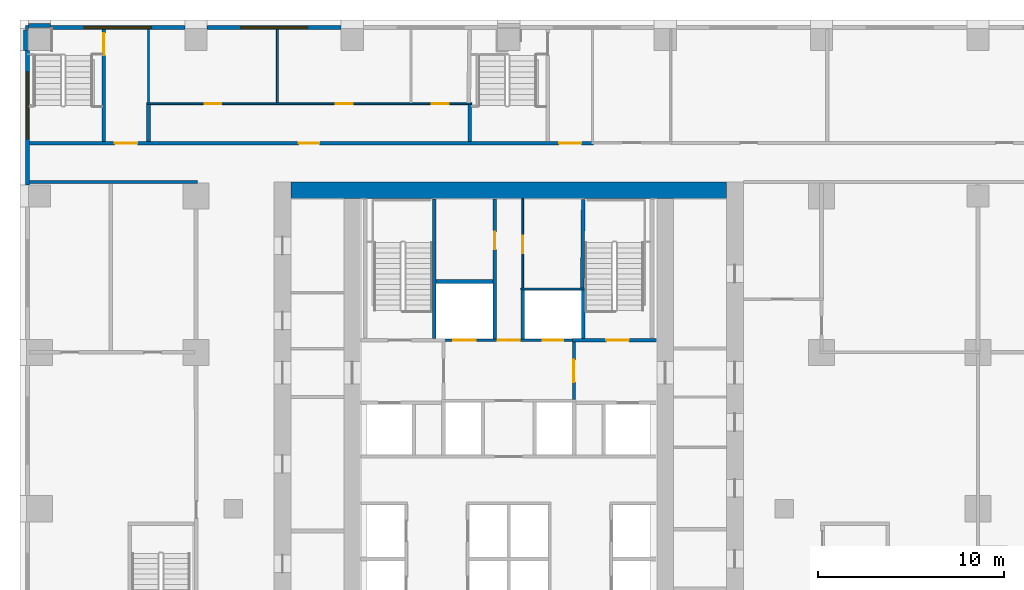
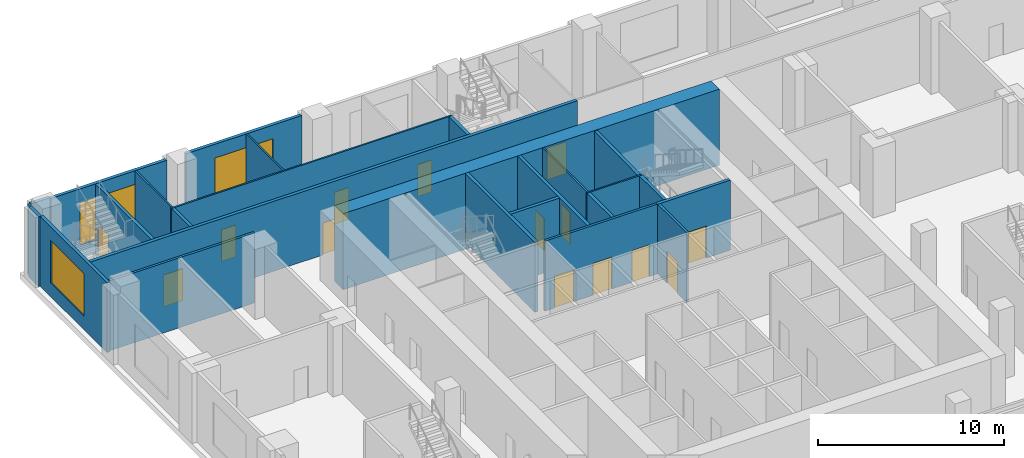
# One storey, part 7 of 21: 26 walls, 14 doors, 3 windows, 17 openings.
"""IFC4 building model written with IfcOpenShell, lengths in metres."""

from ifc_helpers import new_model, si_unit, direction, frame, frame_2d, origin, place, context, subcontext, project, spatial, rectangle, extrude, material, layer, layer_set, type_object, element, fill, save


model = new_model("IFC4")

# Units and contexts
model_context = context("Model", 3, precision=1e-05, world=origin(), true_north=direction((0.0, 1.0)))
body_context = subcontext(model_context, "Body", "Model", "MODEL_VIEW")
ifc_project = project(units=[si_unit("LENGTHUNIT", "METRE"), si_unit("AREAUNIT", "SQUARE_METRE"), si_unit("VOLUMEUNIT", "CUBIC_METRE"), si_unit("PLANEANGLEUNIT", "RADIAN"), si_unit("MASSUNIT", "GRAM", prefix="KILO")], contexts=[model_context])

# Site, building, storey
site_placement = place(None, origin())
site = spatial("IfcSite", under=ifc_project, at=site_placement, CompositionType="ELEMENT")
building_placement = place(site_placement, origin())
building = spatial("IfcBuilding", under=site, at=building_placement, Name="Vermilion Ogive Tower", CompositionType="ELEMENT")
storey_placement = place(building_placement, frame((0.0, 0.0, 25.0)))
storey = spatial("IfcBuildingStorey", under=building, at=storey_placement, Name="L04", CompositionType="ELEMENT", Elevation=25.0)

# Wall, openings, doors
ifc_material_1 = material(Name="Gypsum board partition on steel studs", Category="steel")
ifc_layer_1 = layer(ifc_material_1, 0.10009765625)
ifc_layer_set_1 = layer_set([ifc_layer_1], Name="Partition 100 bath")
wall_type_1 = type_object("IfcWallType", Name="Partition 100 bath", PredefinedType="PARTITIONING", material=ifc_layer_set_1)
wall_1_placement = place(storey_placement, frame((-19.449951171875, 25.949951171875, 0.0), z_axis=(0.0, 0.0, 1.0), x_axis=(1.0, 0.0, 0.0)))
wall_1 = element("IfcWall", 1, at=wall_1_placement, inside=storey, type_object=wall_type_1, Name="L04-FS-W-W030", PredefinedType="PARTITIONING", context=body_context, shape_type="SweptSolid", body=[
    extrude(rectangle(XDim=17.449951171875, YDim=0.10009765625, at=frame_2d((8.72509765625, 0.0))), origin(), (0.0, 0.0, 1.0), 4.60009765625),
])
opening_1_placement = place(wall_1_placement, frame((3.112548828125, 0.0, 0.0)))
opening_1 = element("IfcOpeningElement", 2, at=opening_1_placement, cuts=wall_1, Name="Opening L04S018", PredefinedType="OPENING", context=body_context, shape_type="SweptSolid", body=[
    extrude(rectangle(XDim=0.89990234375, YDim=2.10009765625, at=frame_2d((0.449951171875, 1.050048828125))), frame((0.0, 0.06005859375, 0.0), z_axis=(0.0, -1.0, 0.0), x_axis=(1.0, 0.0, 0.0)), (0.0, 0.0, 1.0), 0.1201171875),
])
opening_2_placement = place(wall_1_placement, frame((10.162353515625, 0.0, 0.0)))
opening_2 = element("IfcOpeningElement", 3, at=opening_2_placement, cuts=wall_1, Name="Opening L04S019", PredefinedType="OPENING", context=body_context, shape_type="SweptSolid", body=[
    extrude(rectangle(XDim=0.89990234375, YDim=2.10009765625, at=frame_2d((0.449951171875, 1.050048828125))), frame((0.0, 0.06005859375, 0.0), z_axis=(0.0, -1.0, 0.0), x_axis=(1.0, 0.0, 0.0)), (0.0, 0.0, 1.0), 0.1201171875),
])
opening_3_placement = place(wall_1_placement, frame((15.324951171875, 0.0, 0.0)))
opening_3 = element("IfcOpeningElement", 4, at=opening_3_placement, cuts=wall_1, Name="Opening L04S020", PredefinedType="OPENING", context=body_context, shape_type="SweptSolid", body=[
    extrude(rectangle(XDim=0.89990234375, YDim=2.10009765625, at=frame_2d((0.449951171875, 1.050048828125))), frame((0.0, 0.06005859375, 0.0), z_axis=(0.0, -1.0, 0.0), x_axis=(1.0, 0.0, 0.0)), (0.0, 0.0, 1.0), 0.1201171875),
])
ifc_material_2 = material(Name="Timber door leaf", Category="wood")
door_type_1 = type_object("IfcDoorType", Name="Room door 900 x 2100 FD30", OperationType="SINGLE_SWING_LEFT", PredefinedType="DOOR", material=ifc_material_2)
door_1_placement = place(opening_1_placement, origin())
door_1 = element("IfcDoor", 5, at=door_1_placement, inside=storey, type_object=door_type_1, Name="L04-FS-D-D018", OperationType="SINGLE_SWING_LEFT", OverallHeight=2.10009765625, OverallWidth=0.89990234375, PredefinedType="DOOR", context=body_context, shape_type="SweptSolid", body=[
    extrude(rectangle(XDim=0.89990234375, YDim=2.10009765625, at=frame_2d((0.449951171875, 1.050048828125))), frame((0.0, 0.02490234375, 0.0), z_axis=(0.0, -1.0, 0.0), x_axis=(1.0, 0.0, 0.0)), (0.0, 0.0, 1.0), 0.050048828125),
])
fill(opening_1, door_1)
door_2_placement = place(opening_2_placement, origin())
door_2 = element("IfcDoor", 6, at=door_2_placement, inside=storey, type_object=door_type_1, Name="L04-FS-D-D019", OperationType="SINGLE_SWING_LEFT", OverallHeight=2.10009765625, OverallWidth=0.89990234375, PredefinedType="DOOR", context=body_context, shape_type="SweptSolid", body=[
    extrude(rectangle(XDim=0.89990234375, YDim=2.10009765625, at=frame_2d((0.449951171875, 1.050048828125))), frame((0.0, 0.02490234375, 0.0), z_axis=(0.0, -1.0, 0.0), x_axis=(1.0, 0.0, 0.0)), (0.0, 0.0, 1.0), 0.050048828125),
])
fill(opening_2, door_2)
door_3_placement = place(opening_3_placement, origin())
door_3 = element("IfcDoor", 7, at=door_3_placement, inside=storey, type_object=door_type_1, Name="L04-FS-D-D020", OperationType="SINGLE_SWING_LEFT", OverallHeight=2.10009765625, OverallWidth=0.89990234375, PredefinedType="DOOR", context=body_context, shape_type="SweptSolid", body=[
    extrude(rectangle(XDim=0.89990234375, YDim=2.10009765625, at=frame_2d((0.449951171875, 1.050048828125))), frame((0.0, 0.02490234375, 0.0), z_axis=(0.0, -1.0, 0.0), x_axis=(1.0, 0.0, 0.0)), (0.0, 0.0, 1.0), 0.050048828125),
])
fill(opening_3, door_3)

# Walls
for number, where, z_axis, x_axis, name in (
    (8, (-19.35009765625, 26.0, 0.0), (0.0, 0.0, 1.0), (0.0, 1.0, 0.0), "L04-FS-W-W034"),
    (9, (-12.425048828125, 26.0, 0.0), (0.0, 0.0, 1.0), (0.0, 1.0, 0.0), "L04-FS-W-W038"),
):
    element("IfcWall", number, at=place(storey_placement, frame(where, z_axis=z_axis, x_axis=x_axis)), inside=storey, type_object=wall_type_1, Name=name, PredefinedType="PARTITIONING", context=body_context, shape_type="SweptSolid", body=[
        extrude(rectangle(XDim=3.949951171875, YDim=0.10009765625, at=frame_2d((1.97509765625, 0.0))), origin(), (0.0, 0.0, 1.0), 4.60009765625),
    ])
wall_2_placement = place(storey_placement, frame((0.64990234375, 16.0, 0.0), z_axis=(0.0, 0.0, 1.0), x_axis=(1.0, 0.0, 0.0)))
element("IfcWall", 10, at=wall_2_placement, inside=storey, type_object=wall_type_1, Name="L04-CK-W-W020", PredefinedType="PARTITIONING", context=body_context, shape_type="SweptSolid", body=[
    extrude(rectangle(XDim=3.4501953125, YDim=0.10009765625, at=frame_2d((1.72509765625, 0.0))), origin(), (0.0, 0.0, 1.0), 4.60009765625),
])

# Wall, opening, door
wall_3_placement = place(storey_placement, frame((0.75, 16.050048828125, 0.0), z_axis=(0.0, 0.0, 1.0), x_axis=(0.0, 1.0, 0.0)))
wall_3 = element("IfcWall", 11, at=wall_3_placement, inside=storey, type_object=wall_type_1, Name="L04-CK-W-W032", PredefinedType="PARTITIONING", context=body_context, shape_type="SweptSolid", body=[
    extrude(rectangle(XDim=4.799072265625, YDim=0.10009765625, at=frame_2d((2.3994140625, 0.0))), origin(), (0.0, 0.0, 1.0), 4.60009765625),
])
opening_4_placement = place(wall_3_placement, frame((1.875, 0.0, 0.0)))
opening_4 = element("IfcOpeningElement", 12, at=opening_4_placement, cuts=wall_3, Name="Opening DAB107", PredefinedType="OPENING", context=body_context, shape_type="SweptSolid", body=[
    extrude(rectangle(XDim=0.949951171875, YDim=2.10009765625, at=frame_2d((0.47509765625, 1.050048828125))), frame((0.0, 0.06005859375, 0.0), z_axis=(0.0, -1.0, 0.0), x_axis=(1.0, 0.0, 0.0)), (0.0, 0.0, 1.0), 0.1201171875),
])
ifc_material_3 = material(Name="Timber door leaf", Category="wood")
door_type_2 = type_object("IfcDoorType", Name="Service door 950 x 2100 FD60", OperationType="SINGLE_SWING_LEFT", PredefinedType="DOOR", material=ifc_material_3)
door_4_placement = place(opening_4_placement, origin())
door_4 = element("IfcDoor", 13, at=door_4_placement, inside=storey, type_object=door_type_2, Name="L04-CK-D-D021", OperationType="SINGLE_SWING_LEFT", OverallHeight=2.10009765625, OverallWidth=0.949951171875, PredefinedType="DOOR", context=body_context, shape_type="SweptSolid", body=[
    extrude(rectangle(XDim=0.949951171875, YDim=2.10009765625, at=frame_2d((0.47509765625, 1.050048828125))), frame((0.0, 0.02490234375, 0.0), z_axis=(0.0, -1.0, 0.0), x_axis=(1.0, 0.0, 0.0)), (0.0, 0.0, 1.0), 0.050048828125),
])
fill(opening_4, door_4)

# Wall
ifc_material_4 = material(Name="Gypsum board partition on steel studs", Category="steel")
ifc_layer_2 = layer(ifc_material_4, 0.14990234375)
ifc_layer_set_2 = layer_set([ifc_layer_2], Name="Partition 150 corridor")
wall_type_2 = type_object("IfcWallType", Name="Partition 150 corridor", PredefinedType="PARTITIONING", material=ifc_layer_set_2)
wall_4_placement = place(storey_placement, frame((-25.75, 21.75, 0.0), z_axis=(0.0, 0.0, 1.0), x_axis=(1.0, 0.0, 0.0)))
element("IfcWall", 14, at=wall_4_placement, inside=storey, type_object=wall_type_2, Name="L04-FS-W-W024", PredefinedType="PARTITIONING", context=body_context, shape_type="SweptSolid", body=[
    extrude(rectangle(XDim=9.02490234375, YDim=0.14990234375, at=frame_2d((4.512451171875, 0.0))), origin(), (0.0, 0.0, 1.0), 4.60009765625),
])

# Wall, openings, doors
wall_5_placement = place(storey_placement, frame((-3.574951171875, 13.25, 0.0), z_axis=(0.0, 0.0, 1.0), x_axis=(1.0, 0.0, 0.0)))
wall_5 = element("IfcWall", 15, at=wall_5_placement, inside=storey, type_object=wall_type_2, Name="L04-CK-W-W018", PredefinedType="PARTITIONING", context=body_context, shape_type="SweptSolid", body=[
    extrude(rectangle(XDim=7.14990234375, YDim=0.14990234375, at=frame_2d((3.574951171875, 0.0))), origin(), (0.0, 0.0, 1.0), 4.60009765625),
])
opening_5_placement = place(wall_5_placement, frame((0.599853515625, 0.0, 0.0)))
opening_5 = element("IfcOpeningElement", 16, at=opening_5_placement, cuts=wall_5, Name="Opening DAB123", PredefinedType="OPENING", context=body_context, shape_type="SweptSolid", body=[
    extrude(rectangle(XDim=1.199951171875, YDim=2.10009765625, at=frame_2d((0.60009765625, 1.050048828125))), frame((0.0, 0.0849609375, 0.0), z_axis=(0.0, -1.0, 0.0), x_axis=(1.0, 0.0, 0.0)), (0.0, 0.0, 1.0), 0.169921875),
])
opening_6_placement = place(wall_5_placement, frame((5.39990234375, 0.0, 0.0)))
opening_6 = element("IfcOpeningElement", 17, at=opening_6_placement, cuts=wall_5, Name="Opening DAB114", PredefinedType="OPENING", context=body_context, shape_type="SweptSolid", body=[
    extrude(rectangle(XDim=1.10009765625, YDim=2.10009765625, at=frame_2d((0.550048828125, 1.050048828125))), frame((0.0, 0.0849609375, 0.0), z_axis=(0.0, -1.0, 0.0), x_axis=(1.0, 0.0, 0.0)), (0.0, 0.0, 1.0), 0.169921875),
])
opening_7_placement = place(wall_5_placement, frame((2.974853515625, 0.0, 0.0)))
opening_7 = element("IfcOpeningElement", 18, at=opening_7_placement, cuts=wall_5, Name="Opening DAB105", PredefinedType="OPENING", context=body_context, shape_type="SweptSolid", body=[
    extrude(rectangle(XDim=1.199951171875, YDim=2.10009765625, at=frame_2d((0.60009765625, 1.050048828125))), frame((0.0, 0.0849609375, 0.0), z_axis=(0.0, -1.0, 0.0), x_axis=(1.0, 0.0, 0.0)), (0.0, 0.0, 1.0), 0.169921875),
])
ifc_material_5 = material(Name="Stainless steel", Category="steel")
door_type_3 = type_object("IfcDoorType", Name="Lift landing door 1100 x 2100", OperationType="SLIDING_TO_LEFT", PredefinedType="DOOR", material=ifc_material_5)
door_5_placement = place(opening_6_placement, origin())
door_5 = element("IfcDoor", 19, at=door_5_placement, inside=storey, type_object=door_type_3, Name="L04-CK-D-D018", OperationType="SLIDING_TO_LEFT", OverallHeight=2.10009765625, OverallWidth=1.10009765625, PredefinedType="DOOR", context=body_context, shape_type="SweptSolid", body=[
    extrude(rectangle(XDim=1.10009765625, YDim=2.10009765625, at=frame_2d((0.550048828125, 1.050048828125))), frame((0.0, 0.02490234375, 0.0), z_axis=(0.0, -1.0, 0.0), x_axis=(1.0, 0.0, 0.0)), (0.0, 0.0, 1.0), 0.050048828125),
])
fill(opening_6, door_5)
ifc_material_6 = material(Name="Stainless steel", Category="steel")
door_type_4 = type_object("IfcDoorType", Name="Lift landing door 1200 x 2100", OperationType="SLIDING_TO_LEFT", PredefinedType="DOOR", material=ifc_material_6)
door_6_placement = place(opening_5_placement, origin())
door_6 = element("IfcDoor", 20, at=door_6_placement, inside=storey, type_object=door_type_4, Name="L04-CK-D-D017", OperationType="SLIDING_TO_RIGHT", OverallHeight=2.10009765625, OverallWidth=1.199951171875, PredefinedType="DOOR", context=body_context, shape_type="SweptSolid", body=[
    extrude(rectangle(XDim=1.199951171875, YDim=2.10009765625, at=frame_2d((0.60009765625, 1.050048828125))), frame((0.0, 0.02490234375, 0.0), z_axis=(0.0, -1.0, 0.0), x_axis=(1.0, 0.0, 0.0)), (0.0, 0.0, 1.0), 0.050048828125),
])
fill(opening_5, door_6)
ifc_material_7 = material(Name="Timber door leaf", Category="wood")
door_type_5 = type_object("IfcDoorType", Name="Service door 1200 x 2100 FD60", OperationType="SINGLE_SWING_LEFT", PredefinedType="DOOR", material=ifc_material_7)
door_7_placement = place(opening_7_placement, origin())
door_7 = element("IfcDoor", 21, at=door_7_placement, inside=storey, type_object=door_type_5, Name="L04-CK-D-D019", OperationType="SINGLE_SWING_RIGHT", OverallHeight=2.10009765625, OverallWidth=1.199951171875, PredefinedType="DOOR", context=body_context, shape_type="SweptSolid", body=[
    extrude(rectangle(XDim=1.199951171875, YDim=2.10009765625, at=frame_2d((0.60009765625, 1.050048828125))), frame((0.0, 0.02490234375, 0.0), z_axis=(0.0, -1.0, 0.0), x_axis=(1.0, 0.0, 0.0)), (0.0, 0.0, 1.0), 0.050048828125),
])
fill(opening_7, door_7)

# Wall, opening, door
wall_6_placement = place(storey_placement, frame((3.5, 10.074951171875, 0.0), z_axis=(0.0, 0.0, 1.0), x_axis=(0.0, 1.0, 0.0)))
wall_6 = element("IfcWall", 22, at=wall_6_placement, inside=storey, type_object=wall_type_2, Name="L04-CK-W-W036", PredefinedType="PARTITIONING", context=body_context, shape_type="SweptSolid", body=[
    extrude(rectangle(XDim=3.074951171875, YDim=0.14990234375, at=frame_2d((1.53759765625, 0.0))), origin(), (0.0, 0.0, 1.0), 4.60009765625),
])
opening_8_placement = place(wall_6_placement, frame((0.925048828125, 0.0, 0.0)))
opening_8 = element("IfcOpeningElement", 23, at=opening_8_placement, cuts=wall_6, Name="Opening DAB102", PredefinedType="OPENING", context=body_context, shape_type="SweptSolid", body=[
    extrude(rectangle(XDim=1.199951171875, YDim=2.10009765625, at=frame_2d((0.60009765625, 1.050048828125))), frame((0.0, 0.0849609375, 0.0), z_axis=(0.0, -1.0, 0.0), x_axis=(1.0, 0.0, 0.0)), (0.0, 0.0, 1.0), 0.169921875),
])
ifc_material_8 = material(Name="Timber door leaf", Category="wood")
door_type_6 = type_object("IfcDoorType", Name="Lobby door 1200 x 2100 FD60S", OperationType="SINGLE_SWING_LEFT", PredefinedType="DOOR", material=ifc_material_8)
door_8_placement = place(opening_8_placement, origin())
door_8 = element("IfcDoor", 24, at=door_8_placement, inside=storey, type_object=door_type_6, Name="L04-CK-D-D023", OperationType="SINGLE_SWING_LEFT", OverallHeight=2.10009765625, OverallWidth=1.199951171875, PredefinedType="DOOR", context=body_context, shape_type="SweptSolid", body=[
    extrude(rectangle(XDim=1.199951171875, YDim=2.10009765625, at=frame_2d((0.60009765625, 1.050048828125))), frame((0.0, 0.02490234375, 0.0), z_axis=(0.0, -1.0, 0.0), x_axis=(1.0, 0.0, 0.0)), (0.0, 0.0, 1.0), 0.050048828125),
])
fill(opening_8, door_8)

# Walls
ifc_material_9 = material(Name="Gypsum board partition on steel studs", Category="steel")
ifc_layer_3 = layer(ifc_material_9, 0.199951171875)
ifc_layer_set_3 = layer_set([ifc_layer_3], Name="Partition 200 party")
wall_type_3 = type_object("IfcWallType", Name="Partition 200 party", PredefinedType="PARTITIONING", material=ifc_layer_set_3)
wall_7_placement = place(storey_placement, frame((-19.35009765625, 23.925048828125, 0.0), z_axis=(0.0, 0.0, 1.0), x_axis=(0.0, 1.0, 0.0)))
element("IfcWall", 25, at=wall_7_placement, inside=storey, type_object=wall_type_3, Name="L04-FS-W-W033", PredefinedType="PARTITIONING", context=body_context, shape_type="SweptSolid", body=[
    extrude(rectangle(XDim=1.974853515625, YDim=0.199951171875, at=frame_2d((0.9873046875, 0.0))), origin(), (0.0, 0.0, 1.0), 4.60009765625),
])
wall_8_placement = place(storey_placement, frame((-3.89990234375, 16.39990234375, 0.0), z_axis=(0.0, 0.0, 1.0), x_axis=(1.0, 0.0, 0.0)))
element("IfcWall", 26, at=wall_8_placement, inside=storey, type_object=wall_type_3, Name="L04-CK-W-W021", PredefinedType="PARTITIONING", context=body_context, shape_type="SweptSolid", body=[
    extrude(rectangle(XDim=3.0498046875, YDim=0.199951171875, at=frame_2d((1.52490234375, 0.0))), origin(), (0.0, 0.0, 1.0), 4.60009765625),
])

# Wall, opening, door
wall_9_placement = place(storey_placement, frame((-0.75, 13.324951171875, 0.0), z_axis=(0.0, 0.0, 1.0), x_axis=(0.0, 1.0, 0.0)))
wall_9 = element("IfcWall", 27, at=wall_9_placement, inside=storey, type_object=wall_type_3, Name="L04-CK-W-W029", PredefinedType="PARTITIONING", context=body_context, shape_type="SweptSolid", body=[
    extrude(rectangle(XDim=7.524169921875, YDim=0.199951171875, at=frame_2d((3.76220703125, 0.0))), origin(), (0.0, 0.0, 1.0), 4.60009765625),
])
opening_9_placement = place(wall_9_placement, frame((4.800048828125, 0.0, 0.0)))
opening_9 = element("IfcOpeningElement", 28, at=opening_9_placement, cuts=wall_9, Name="Opening DAB106", PredefinedType="OPENING", context=body_context, shape_type="SweptSolid", body=[
    extrude(rectangle(XDim=0.949951171875, YDim=2.10009765625, at=frame_2d((0.47509765625, 1.050048828125))), frame((0.0, 0.10986328125, 0.0), z_axis=(0.0, -1.0, 0.0), x_axis=(1.0, 0.0, 0.0)), (0.0, 0.0, 1.0), 0.219970703125),
])
door_9_placement = place(opening_9_placement, origin())
door_9 = element("IfcDoor", 29, at=door_9_placement, inside=storey, type_object=door_type_2, Name="L04-CK-D-D020", OperationType="SINGLE_SWING_RIGHT", OverallHeight=2.10009765625, OverallWidth=0.949951171875, PredefinedType="DOOR", context=body_context, shape_type="SweptSolid", body=[
    extrude(rectangle(XDim=0.949951171875, YDim=2.10009765625, at=frame_2d((0.47509765625, 1.050048828125))), frame((0.0, 0.02490234375, 0.0), z_axis=(0.0, -1.0, 0.0), x_axis=(1.0, 0.0, 0.0)), (0.0, 0.0, 1.0), 0.050048828125),
])
fill(opening_9, door_9)

# Walls
wall_10_placement = place(storey_placement, frame((0.75, 13.324951171875, 0.0), z_axis=(0.0, 0.0, 1.0), x_axis=(0.0, 1.0, 0.0)))
element("IfcWall", 30, at=wall_10_placement, inside=storey, type_object=wall_type_3, Name="L04-CK-W-W031", PredefinedType="PARTITIONING", context=body_context, shape_type="SweptSolid", body=[
    extrude(rectangle(XDim=2.625, YDim=0.199951171875, at=frame_2d((1.3125, 0.0))), origin(), (0.0, 0.0, 1.0), 4.60009765625),
])
ifc_material_10 = material(Name="Concrete B60", Category="concrete")
ifc_layer_4 = layer(ifc_material_10, 0.199951171875)
ifc_layer_set_4 = layer_set([ifc_layer_4], Name="Stair shaft wall 200 Concrete B60")
wall_type_4 = type_object("IfcWallType", Name="Stair shaft wall 200 Concrete B60", PredefinedType="SOLIDWALL", material=ifc_layer_set_4)
wall_11_placement = place(storey_placement, frame((-11.699951171875, 21.300048828125, -0.39990234375), z_axis=(0.0, 0.0, 1.0), x_axis=(1.0, 0.0, 0.0)))
element("IfcWall", 31, at=wall_11_placement, inside=storey, type_object=wall_type_4, Name="L04-CORE-N", PredefinedType="SOLIDWALL", context=body_context, shape_type="SweptSolid", body=[
    extrude(rectangle(XDim=23.39990234375, YDim=0.89990234375, at=frame_2d((11.699951171875, 0.0))), origin(), (0.0, 0.0, 1.0), 5.0),
])

# Wall, openings, doors
wall_12_placement = place(storey_placement, frame((-25.75, 23.8251953125, 0.0), z_axis=(0.0, 0.0, 1.0), x_axis=(1.0, 0.0, 0.0)))
wall_12 = element("IfcWall", 32, at=wall_12_placement, inside=storey, type_object=wall_type_4, Name="L04-FS-W-W027", PredefinedType="SOLIDWALL", context=body_context, shape_type="SweptSolid", body=[
    extrude(rectangle(XDim=30.300048828125, YDim=0.199951171875, at=frame_2d((15.14990234375, 0.0))), origin(), (0.0, 0.0, 1.0), 4.60009765625),
])
opening_10_placement = place(wall_12_placement, frame((4.60009765625, 0.0, 0.0)))
opening_10 = element("IfcOpeningElement", 33, at=opening_10_placement, cuts=wall_12, Name="Opening L04S007", PredefinedType="OPENING", context=body_context, shape_type="SweptSolid", body=[
    extrude(rectangle(XDim=1.199951171875, YDim=2.10009765625, at=frame_2d((0.60009765625, 1.050048828125))), frame((0.0, 0.10986328125, 0.0), z_axis=(0.0, -1.0, 0.0), x_axis=(1.0, 0.0, 0.0)), (0.0, 0.0, 1.0), 0.219970703125),
])
opening_11_placement = place(wall_12_placement, frame((28.449951171875, 0.0, 0.0)))
opening_11 = element("IfcOpeningElement", 34, at=opening_11_placement, cuts=wall_12, Name="Opening L04S011", PredefinedType="OPENING", context=body_context, shape_type="SweptSolid", body=[
    extrude(rectangle(XDim=1.199951171875, YDim=2.10009765625, at=frame_2d((0.60009765625, 1.050048828125))), frame((0.0, 0.10986328125, 0.0), z_axis=(0.0, -1.0, 0.0), x_axis=(1.0, 0.0, 0.0)), (0.0, 0.0, 1.0), 0.219970703125),
])
opening_12_placement = place(wall_12_placement, frame((14.47509765625, 0.0, 0.0)))
opening_12 = element("IfcOpeningElement", 35, at=opening_12_placement, cuts=wall_12, Name="Opening L04S017", PredefinedType="OPENING", context=body_context, shape_type="SweptSolid", body=[
    extrude(rectangle(XDim=1.10009765625, YDim=2.10009765625, at=frame_2d((0.550048828125, 1.050048828125))), frame((0.0, 0.10986328125, 0.0), z_axis=(0.0, -1.0, 0.0), x_axis=(1.0, 0.0, 0.0)), (0.0, 0.0, 1.0), 0.219970703125),
])
ifc_material_11 = material(Name="Timber door leaf", Category="wood")
door_type_7 = type_object("IfcDoorType", Name="Stair door 1200 x 2100 FD60S", OperationType="SINGLE_SWING_LEFT", PredefinedType="DOOR", material=ifc_material_11)
door_10_placement = place(opening_10_placement, origin())
door_10 = element("IfcDoor", 36, at=door_10_placement, inside=storey, type_object=door_type_7, Name="L04-FS-D-D007", OperationType="SINGLE_SWING_LEFT", OverallHeight=2.10009765625, OverallWidth=1.199951171875, PredefinedType="DOOR", context=body_context, shape_type="SweptSolid", body=[
    extrude(rectangle(XDim=1.199951171875, YDim=2.10009765625, at=frame_2d((0.60009765625, 1.050048828125))), frame((0.0, 0.02490234375, 0.0), z_axis=(0.0, -1.0, 0.0), x_axis=(1.0, 0.0, 0.0)), (0.0, 0.0, 1.0), 0.050048828125),
])
fill(opening_10, door_10)
door_11_placement = place(opening_11_placement, origin())
door_11 = element("IfcDoor", 37, at=door_11_placement, inside=storey, type_object=door_type_7, Name="L04-FS-D-D011", OperationType="SINGLE_SWING_RIGHT", OverallHeight=2.10009765625, OverallWidth=1.199951171875, PredefinedType="DOOR", context=body_context, shape_type="SweptSolid", body=[
    extrude(rectangle(XDim=1.199951171875, YDim=2.10009765625, at=frame_2d((0.60009765625, 1.050048828125))), frame((0.0, 0.02490234375, 0.0), z_axis=(0.0, -1.0, 0.0), x_axis=(1.0, 0.0, 0.0)), (0.0, 0.0, 1.0), 0.050048828125),
])
fill(opening_11, door_11)
ifc_material_12 = material(Name="Timber door leaf", Category="wood")
door_type_8 = type_object("IfcDoorType", Name="Wc door 1100 x 2100 FD30", OperationType="SINGLE_SWING_LEFT", PredefinedType="DOOR", material=ifc_material_12)
door_12_placement = place(opening_12_placement, origin())
door_12 = element("IfcDoor", 38, at=door_12_placement, inside=storey, type_object=door_type_8, Name="L04-FS-D-D017", OperationType="SINGLE_SWING_LEFT", OverallHeight=2.10009765625, OverallWidth=1.10009765625, PredefinedType="DOOR", context=body_context, shape_type="SweptSolid", body=[
    extrude(rectangle(XDim=1.10009765625, YDim=2.10009765625, at=frame_2d((0.550048828125, 1.050048828125))), frame((0.0, 0.02490234375, 0.0), z_axis=(0.0, -1.0, 0.0), x_axis=(1.0, 0.0, 0.0)), (0.0, 0.0, 1.0), 0.050048828125),
])
fill(opening_12, door_12)

# Wall, opening, door
wall_13_placement = place(storey_placement, frame((-21.75, 23.925048828125, 0.0), z_axis=(0.0, 0.0, 1.0), x_axis=(0.0, 1.0, 0.0)))
wall_13 = element("IfcWall", 39, at=wall_13_placement, inside=storey, type_object=wall_type_4, Name="L04-FS-W-W031", PredefinedType="SOLIDWALL", context=body_context, shape_type="SweptSolid", body=[
    extrude(rectangle(XDim=6.02490234375, YDim=0.199951171875, at=frame_2d((3.012451171875, 0.0))), origin(), (0.0, 0.0, 1.0), 4.60009765625),
])
opening_13_placement = place(wall_13_placement, frame((4.625, 0.0, 0.0)))
opening_13 = element("IfcOpeningElement", 40, at=opening_13_placement, cuts=wall_13, Name="Opening L04S001", PredefinedType="OPENING", context=body_context, shape_type="SweptSolid", body=[
    extrude(rectangle(XDim=1.199951171875, YDim=2.10009765625, at=frame_2d((0.60009765625, 1.050048828125))), frame((0.0, 0.10986328125, 0.0), z_axis=(0.0, -1.0, 0.0), x_axis=(1.0, 0.0, 0.0)), (0.0, 0.0, 1.0), 0.219970703125),
])
door_13_placement = place(opening_13_placement, origin())
door_13 = element("IfcDoor", 41, at=door_13_placement, inside=storey, type_object=door_type_7, Name="L04-FS-D-D001", OperationType="DOUBLE_DOOR_SINGLE_SWING", OverallHeight=2.10009765625, OverallWidth=1.199951171875, PredefinedType="DOOR", context=body_context, shape_type="SweptSolid", body=[
    extrude(rectangle(XDim=1.199951171875, YDim=2.10009765625, at=frame_2d((0.60009765625, 1.050048828125))), frame((0.0, 0.02490234375, 0.0), z_axis=(0.0, -1.0, 0.0), x_axis=(1.0, 0.0, 0.0)), (0.0, 0.0, 1.0), 0.050048828125),
])
fill(opening_13, door_13)

# Wall
wall_14_placement = place(storey_placement, frame((-2.10009765625, 23.925048828125, 0.0), z_axis=(0.0, 0.0, 1.0), x_axis=(0.0, 1.0, 0.0)))
element("IfcWall", 42, at=wall_14_placement, inside=storey, type_object=wall_type_4, Name="L04-FS-W-W042", PredefinedType="SOLIDWALL", context=body_context, shape_type="SweptSolid", body=[
    extrude(rectangle(XDim=1.974853515625, YDim=0.199951171875, at=frame_2d((0.9873046875, 0.0))), origin(), (0.0, 0.0, 1.0), 4.60009765625),
])

# Wall, opening, window
wall_15_placement = place(storey_placement, frame((-24.60009765625, 30.050048828125, 0.0), z_axis=(0.0, 0.0, 1.0), x_axis=(1.0, 0.0, 0.0)))
wall_15 = element("IfcWall", 43, at=wall_15_placement, inside=storey, type_object=wall_type_4, Name="Window wall N8", PredefinedType="SOLIDWALL", context=body_context, shape_type="SweptSolid", body=[
    extrude(rectangle(XDim=7.2001953125, YDim=0.199951171875, at=frame_2d((3.60009765625, 0.0))), origin(), (0.0, 0.0, 1.0), 4.60009765625),
])
opening_14_placement = place(wall_15_placement, frame((1.800048828125, 0.0, 0.89990234375)))
opening_14 = element("IfcOpeningElement", 44, at=opening_14_placement, cuts=wall_15, Name="Opening P-N8", PredefinedType="OPENING", context=body_context, shape_type="SweptSolid", body=[
    extrude(rectangle(XDim=3.60009765625, YDim=2.800048828125, at=frame_2d((1.800048828125, 1.39990234375))), frame((0.0, 0.10986328125, 0.0), z_axis=(0.0, -1.0, 0.0), x_axis=(1.0, 0.0, 0.0)), (0.0, 0.0, 1.0), 0.219970703125),
])
ifc_material_13 = material(Name="Aluminium framed double glazing", Category="aluminium")
window_type = type_object("IfcWindowType", Name="Podium window P 3600x2800 sill 900", PartitioningType="SINGLE_PANEL", PredefinedType="WINDOW", material=ifc_material_13)
window_1_placement = place(opening_14_placement, origin())
window_1 = element("IfcWindow", 45, at=window_1_placement, inside=storey, type_object=window_type, Name="Window N8", OverallHeight=2.800048828125, OverallWidth=3.60009765625, PartitioningType="SINGLE_PANEL", PredefinedType="WINDOW", context=body_context, shape_type="SweptSolid", body=[
    extrude(rectangle(XDim=3.60009765625, YDim=2.800048828125, at=frame_2d((1.800048828125, 1.39990234375))), frame((0.0, 0.030029296875, 0.0), z_axis=(0.0, -1.0, 0.0), x_axis=(1.0, 0.0, 0.0)), (0.0, 0.0, 1.0), 0.06005859375),
])
fill(opening_14, window_1)

wall_16_placement = place(storey_placement, frame((-25.85009765625, 21.60009765625, 0.0), z_axis=(0.0, 0.0, 1.0), x_axis=(0.0, 1.0, 0.0)))
wall_16 = element("IfcWall", 46, at=wall_16_placement, inside=storey, type_object=wall_type_4, Name="Window wall W1", PredefinedType="SOLIDWALL", context=body_context, shape_type="SweptSolid", body=[
    extrude(rectangle(XDim=7.199951171875, YDim=0.199951171875, at=frame_2d((3.60009765625, 0.0))), origin(), (0.0, 0.0, 1.0), 4.60009765625),
])
opening_15_placement = place(wall_16_placement, frame((2.469970703125, 0.0, 0.89990234375)))
opening_15 = element("IfcOpeningElement", 47, at=opening_15_placement, cuts=wall_16, Name="Opening P-W1", PredefinedType="OPENING", context=body_context, shape_type="SweptSolid", body=[
    extrude(rectangle(XDim=3.60009765625, YDim=2.800048828125, at=frame_2d((1.800048828125, 1.39990234375))), frame((0.0, 0.10986328125, 0.0), z_axis=(0.0, -1.0, 0.0), x_axis=(1.0, 0.0, 0.0)), (0.0, 0.0, 1.0), 0.219970703125),
])
window_2_placement = place(opening_15_placement, origin())
window_2 = element("IfcWindow", 48, at=window_2_placement, inside=storey, type_object=window_type, Name="Window W1", OverallHeight=2.800048828125, OverallWidth=3.60009765625, PartitioningType="SINGLE_PANEL", PredefinedType="WINDOW", context=body_context, shape_type="SweptSolid", body=[
    extrude(rectangle(XDim=3.60009765625, YDim=2.800048828125, at=frame_2d((1.800048828125, 1.39990234375))), frame((0.0, 0.030029296875, 0.0), z_axis=(0.0, -1.0, 0.0), x_axis=(1.0, 0.0, 0.0)), (0.0, 0.0, 1.0), 0.06005859375),
])
fill(opening_15, window_2)

# Wall, opening, door
wall_17_placement = place(storey_placement, frame((3.425048828125, 13.25, 0.0), z_axis=(0.0, 0.0, 1.0), x_axis=(1.0, 0.0, 0.0)))
wall_17 = element("IfcWall", 49, at=wall_17_placement, inside=storey, type_object=wall_type_4, Name="L04-CK-W-W019", PredefinedType="SOLIDWALL", context=body_context, shape_type="SweptSolid", body=[
    extrude(rectangle(XDim=4.52392578125, YDim=0.199951171875, at=frame_2d((2.261962890625, 0.0))), origin(), (0.0, 0.0, 1.0), 4.60009765625),
])
opening_16_placement = place(wall_17_placement, frame((1.824951171875, 0.0, 0.0)))
opening_16 = element("IfcOpeningElement", 50, at=opening_16_placement, cuts=wall_17, Name="Opening DAB109", PredefinedType="OPENING", context=body_context, shape_type="SweptSolid", body=[
    extrude(rectangle(XDim=1.199951171875, YDim=2.10009765625, at=frame_2d((0.60009765625, 1.050048828125))), frame((0.0, 0.10986328125, 0.0), z_axis=(0.0, -1.0, 0.0), x_axis=(1.0, 0.0, 0.0)), (0.0, 0.0, 1.0), 0.219970703125),
])
door_14_placement = place(opening_16_placement, origin())
door_14 = element("IfcDoor", 51, at=door_14_placement, inside=storey, type_object=door_type_7, Name="L04-CK-D-D013", OperationType="SINGLE_SWING_RIGHT", OverallHeight=2.10009765625, OverallWidth=1.199951171875, PredefinedType="DOOR", context=body_context, shape_type="SweptSolid", body=[
    extrude(rectangle(XDim=1.199951171875, YDim=2.10009765625, at=frame_2d((0.60009765625, 1.050048828125))), frame((0.0, 0.02490234375, 0.0), z_axis=(0.0, -1.0, 0.0), x_axis=(1.0, 0.0, 0.0)), (0.0, 0.0, 1.0), 0.050048828125),
])
fill(opening_16, door_14)

# Walls
wall_18_placement = place(storey_placement, frame((-4.0, 13.35009765625, 0.0), z_axis=(0.0, 0.0, 1.0), x_axis=(0.0, 1.0, 0.0)))
element("IfcWall", 52, at=wall_18_placement, inside=storey, type_object=wall_type_4, Name="L04-CK-W-W024", PredefinedType="SOLIDWALL", context=body_context, shape_type="SweptSolid", body=[
    extrude(rectangle(XDim=7.4990234375, YDim=0.199951171875, at=frame_2d((3.74951171875, 0.0))), origin(), (0.0, 0.0, 1.0), 4.60009765625),
])
wall_19_placement = place(storey_placement, frame((4.0, 13.35009765625, 0.0), z_axis=(0.0, 0.0, 1.0), x_axis=(0.0, 1.0, 0.0)))
element("IfcWall", 53, at=wall_19_placement, inside=storey, type_object=wall_type_4, Name="L04-CK-W-W037", PredefinedType="SOLIDWALL", context=body_context, shape_type="SweptSolid", body=[
    extrude(rectangle(XDim=2.599853515625, YDim=0.199951171875, at=frame_2d((1.2998046875, 0.0))), origin(), (0.0, 0.0, 1.0), 4.60009765625),
])
wall_20_placement = place(storey_placement, frame((3.949951171875, 16.050048828125, 0.0), z_axis=(0.0, 0.0, 1.0), x_axis=(0.010538176883, 0.999944471872, 0.0)))
element("IfcWall", 54, at=wall_20_placement, inside=storey, type_object=wall_type_4, Name="L04-CK-W-W038", PredefinedType="SOLIDWALL", context=body_context, shape_type="SweptSolid", body=[
    extrude(rectangle(XDim=4.749267578125, YDim=0.199951171875, at=frame_2d((2.37451171875, 0.0))), origin(), (0.0, 0.0, 1.0), 4.60009765625),
])
wall_21_placement = place(storey_placement, frame((-25.949951171875, 28.800048828125, 0.0), z_axis=(0.0, 0.0, 1.0), x_axis=(0.0, 1.0, 0.0)))
element("IfcWall", 55, at=wall_21_placement, inside=storey, type_object=wall_type_4, Name="L04-SW-R001-W1", PredefinedType="SOLIDWALL", context=body_context, shape_type="SweptSolid", body=[
    extrude(rectangle(XDim=1.099853515625, YDim=0.199951171875, at=frame_2d((0.5498046875, 0.0))), origin(), (0.0, 0.0, 1.0), 4.60009765625),
])
wall_22_placement = place(storey_placement, frame((-25.800048828125, 30.14990234375, 0.0), z_axis=(0.0, 0.0, 1.0), x_axis=(1.0, 0.0, 0.0)))
element("IfcWall", 56, at=wall_22_placement, inside=storey, type_object=wall_type_4, Name="L04-SW-R001-N1", PredefinedType="SOLIDWALL", context=body_context, shape_type="SweptSolid", body=[
    extrude(rectangle(XDim=1.199951171875, YDim=0.199951171875, at=frame_2d((0.60009765625, 0.0))), origin(), (0.0, 0.0, 1.0), 4.60009765625),
])

# Wall, opening, window
ifc_material_14 = material(Name="Aluminium window wall framing", Category="aluminium")
ifc_layer_5 = layer(ifc_material_14, 0.199951171875)
ifc_layer_set_5 = layer_set([ifc_layer_5], Name="Window wall")
wall_type_5 = type_object("IfcWallType", Name="Window wall", PredefinedType="STANDARD", material=ifc_layer_set_5)
wall_23_placement = place(storey_placement, frame((-9.0, 30.050048828125, 0.0), z_axis=(0.0, 0.0, 1.0), x_axis=(-1.0, 0.0, 0.0)))
wall_23 = element("IfcWall", 57, at=wall_23_placement, inside=storey, type_object=wall_type_5, Name="Window wall N7", PredefinedType="STANDARD", context=body_context, shape_type="SweptSolid", body=[
    extrude(rectangle(XDim=7.199951171875, YDim=0.199951171875, at=frame_2d((3.60009765625, 0.0))), origin(), (0.0, 0.0, 1.0), 4.60009765625),
])
opening_17_placement = place(wall_23_placement, frame((1.800048828125, 0.0, 0.89990234375)))
opening_17 = element("IfcOpeningElement", 58, at=opening_17_placement, cuts=wall_23, Name="Opening P-N7", PredefinedType="OPENING", context=body_context, shape_type="SweptSolid", body=[
    extrude(rectangle(XDim=3.60009765625, YDim=2.800048828125, at=frame_2d((1.800048828125, 1.39990234375))), frame((0.0, 0.10986328125, 0.0), z_axis=(0.0, -1.0, 0.0), x_axis=(1.0, 0.0, 0.0)), (0.0, 0.0, 1.0), 0.219970703125),
])
window_3_placement = place(opening_17_placement, origin())
window_3 = element("IfcWindow", 59, at=window_3_placement, inside=storey, type_object=window_type, Name="Window N7", OverallHeight=2.800048828125, OverallWidth=3.60009765625, PartitioningType="SINGLE_PANEL", PredefinedType="WINDOW", context=body_context, shape_type="SweptSolid", body=[
    extrude(rectangle(XDim=3.60009765625, YDim=2.800048828125, at=frame_2d((1.800048828125, 1.39990234375))), frame((0.0, 0.030029296875, 0.0), z_axis=(0.0, -1.0, 0.0), x_axis=(1.0, 0.0, 0.0)), (0.0, 0.0, 1.0), 0.06005859375),
])
fill(opening_17, window_3)

# Wall
wall_24_placement = place(storey_placement, frame((-25.800048828125, 30.050048828125, 0.0), z_axis=(0.0, 0.0, 1.0), x_axis=(-1.0, 0.0, 0.0)))
element("IfcWall", 60, at=wall_24_placement, inside=storey, type_object=wall_type_5, Name="Window wall N9", PredefinedType="STANDARD", context=body_context, shape_type="SweptSolid", body=[
    extrude(rectangle(XDim=0.14990234375, YDim=0.199951171875, at=frame_2d((0.074951171875, 0.0))), origin(), (0.0, 0.0, 1.0), 4.60009765625),
])

save(model, "model.ifc")
